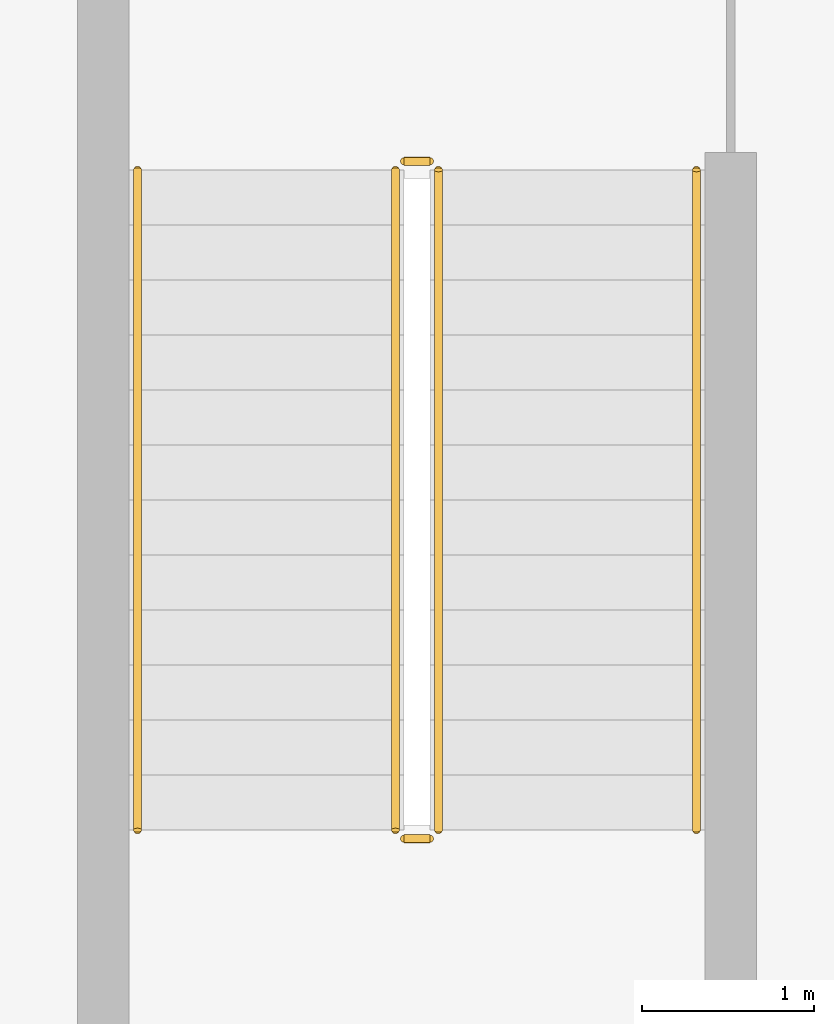
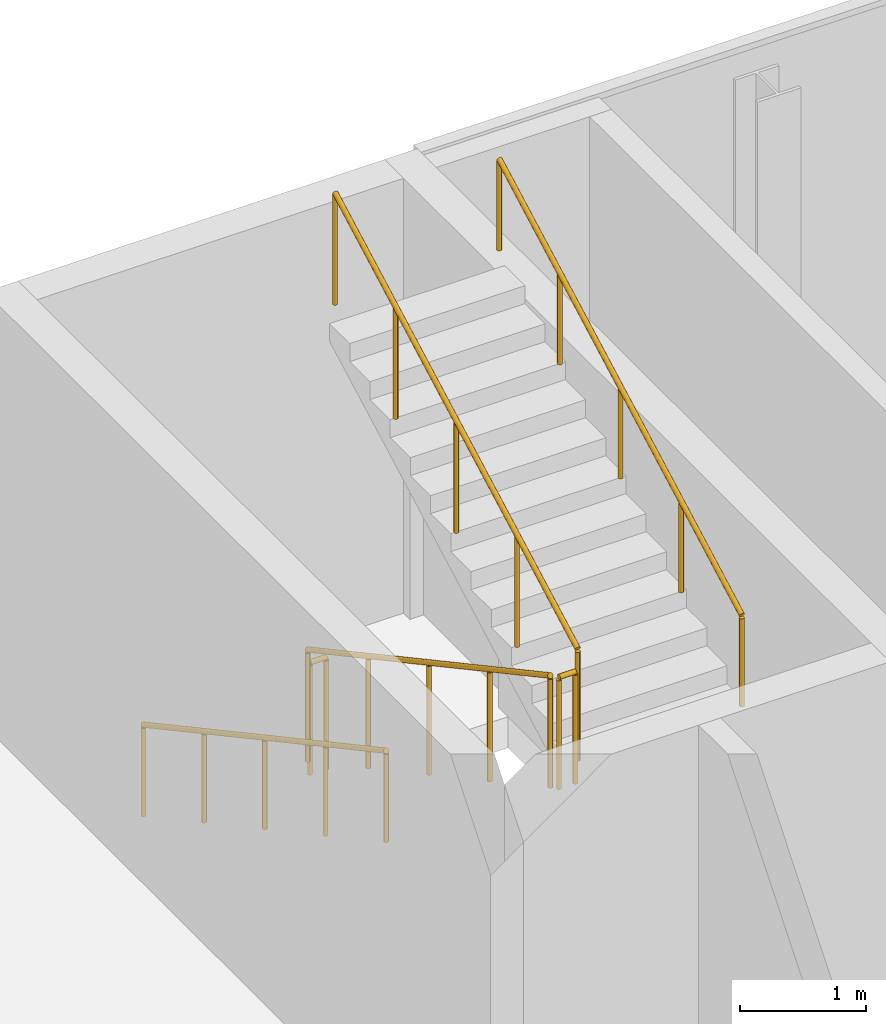
# One storey, part 37 of 38: 6 railings.
"""IFC4 building model written with IfcOpenShell, lengths in metres."""

from ifc_helpers import new_model, si_unit, direction, frame, origin, origin_2d, place, context, subcontext, project, spatial, circle, extrude, material, type_object, element, save


model = new_model("IFC4")

# Units and contexts
model_context = context("Model", 3, precision=1e-05, world=origin(), true_north=direction((0.0, 1.0)))
body_context = subcontext(model_context, "Body", "Model", "MODEL_VIEW")
ifc_project = project(units=[si_unit("LENGTHUNIT", "METRE"), si_unit("AREAUNIT", "SQUARE_METRE"), si_unit("VOLUMEUNIT", "CUBIC_METRE"), si_unit("PLANEANGLEUNIT", "RADIAN"), si_unit("MASSUNIT", "GRAM", prefix="KILO")], contexts=[model_context])

# Site, building, storey
site_placement = place(None, origin())
site = spatial("IfcSite", under=ifc_project, at=site_placement, CompositionType="ELEMENT")
building_placement = place(site_placement, origin())
building = spatial("IfcBuilding", under=site, at=building_placement, Name="Madar Terraces", CompositionType="ELEMENT")
storey_placement = place(building_placement, frame((0.0, 0.0, 15.0)))
storey = spatial("IfcBuildingStorey", under=building, at=storey_placement, Name="L03", CompositionType="ELEMENT", Elevation=15.0)

# Railings
ifc_material_1 = material(Name="Stainless steel railing", Category="steel")
railing_type_1 = type_object("IfcRailingType", Name="Stair guard 1100", PredefinedType="GUARDRAIL", material=ifc_material_1)
railing_1_placement = place(storey_placement, frame((38.25, 55.699951171875, 0.173095703125)))
element("IfcRailing", 1, at=railing_1_placement, inside=storey, type_object=railing_type_1, Name="L03 PS2 stair guard 1", PredefinedType="GUARDRAIL", context=body_context, shape_type="SweptSolid", body=[
    extrude(circle(Radius=0.02392578125, at=origin_2d()), frame((0.0, 0.0, 1.076171875), z_axis=(0.0, -0.879580660541, 0.475749788862), x_axis=(1.0, 0.0, 0.0)), (0.0, 0.0, 1.0), 4.365478515625),
    extrude(circle(Radius=0.02099609375, at=origin_2d()), origin(), (0.0, 0.0, 1.0), 1.052001953125),
    extrude(circle(Radius=0.02099609375, at=origin_2d()), frame((0.0, -0.9599609375, 0.519287109375)), (0.0, 0.0, 1.0), 1.052001953125),
    extrude(circle(Radius=0.02099609375, at=origin_2d()), frame((0.0, -1.919921875, 1.03857421875)), (0.0, 0.0, 1.0), 1.052001953125),
    extrude(circle(Radius=0.02099609375, at=origin_2d()), frame((0.0, -2.8798828125, 1.5576171875)), (0.0, 0.0, 1.0), 1.052001953125),
    extrude(circle(Radius=0.02099609375, at=origin_2d()), frame((0.0, -3.83984375, 2.076904296875)), (0.0, 0.0, 1.0), 1.052001953125),
])
railing_2_placement = place(storey_placement, frame((38.300048828125, 51.81005859375, 2.25)))
element("IfcRailing", 2, at=railing_2_placement, inside=storey, type_object=railing_type_1, Name="L03 PS2 stair guard 2", PredefinedType="GUARDRAIL", context=body_context, shape_type="SweptSolid", body=[
    extrude(circle(Radius=0.02392578125, at=origin_2d()), frame((0.0, 0.0, 1.076171875), z_axis=(1.0, 0.0, 0.0), x_axis=(0.0, 1.0, 0.0)), (0.0, 0.0, 1.0), 0.14990234375),
    extrude(circle(Radius=0.02099609375, at=origin_2d()), origin(), (0.0, 0.0, 1.0), 1.052001953125),
    extrude(circle(Radius=0.02099609375, at=origin_2d()), frame((0.14990234375, 0.0, 0.0)), (0.0, 0.0, 1.0), 1.052001953125),
])
railing_3_placement = place(storey_placement, frame((38.5, 51.860107421875, 2.423095703125)))
element("IfcRailing", 3, at=railing_3_placement, inside=storey, type_object=railing_type_1, Name="L03 PS2 stair guard 3", PredefinedType="GUARDRAIL", context=body_context, shape_type="SweptSolid", body=[
    extrude(circle(Radius=0.02392578125, at=origin_2d()), frame((0.0, 0.0, 1.076171875), z_axis=(0.0, 0.879580660541, 0.475749788862), x_axis=(-1.0, 0.0, 0.0)), (0.0, 0.0, 1.0), 4.365478515625),
    extrude(circle(Radius=0.02099609375, at=origin_2d()), origin(), (0.0, 0.0, 1.0), 1.052001953125),
    extrude(circle(Radius=0.02099609375, at=origin_2d()), frame((0.0, 0.9599609375, 0.519287109375)), (0.0, 0.0, 1.0), 1.052001953125),
    extrude(circle(Radius=0.02099609375, at=origin_2d()), frame((0.0, 1.919921875, 1.03857421875)), (0.0, 0.0, 1.0), 1.052001953125),
    extrude(circle(Radius=0.02099609375, at=origin_2d()), frame((0.0, 2.8798828125, 1.5576171875)), (0.0, 0.0, 1.0), 1.052001953125),
    extrude(circle(Radius=0.02099609375, at=origin_2d()), frame((0.0, 3.83984375, 2.076904296875)), (0.0, 0.0, 1.0), 1.052001953125),
])
railing_4_placement = place(storey_placement, frame((38.300048828125, 55.75, 0.0)))
element("IfcRailing", 4, at=railing_4_placement, inside=storey, type_object=railing_type_1, Name="L03 PS2 stair guard 4", PredefinedType="GUARDRAIL", context=body_context, shape_type="SweptSolid", body=[
    extrude(circle(Radius=0.02392578125, at=origin_2d()), frame((0.0, 0.0, 1.076171875), z_axis=(1.0, 0.0, 0.0), x_axis=(0.0, 1.0, 0.0)), (0.0, 0.0, 1.0), 0.14990234375),
    extrude(circle(Radius=0.02099609375, at=origin_2d()), origin(), (0.0, 0.0, 1.0), 1.052001953125),
    extrude(circle(Radius=0.02099609375, at=origin_2d()), frame((0.14990234375, 0.0, 0.0)), (0.0, 0.0, 1.0), 1.052001953125),
])
ifc_material_2 = material(Name="Stainless steel railing", Category="steel")
railing_type_2 = type_object("IfcRailingType", Name="Stair handrail 900", PredefinedType="HANDRAIL", material=ifc_material_2)
railing_5_placement = place(storey_placement, frame((36.75, 55.699951171875, 0.173095703125)))
element("IfcRailing", 5, at=railing_5_placement, inside=storey, type_object=railing_type_2, Name="L03 PS2 stair handrail 1", PredefinedType="HANDRAIL", context=body_context, shape_type="SweptSolid", body=[
    extrude(circle(Radius=0.02392578125, at=origin_2d()), frame((0.0, 0.0, 0.8759765625), z_axis=(0.0, -0.879580660541, 0.475749788862), x_axis=(1.0, 0.0, 0.0)), (0.0, 0.0, 1.0), 4.365478515625),
    extrude(circle(Radius=0.02099609375, at=origin_2d()), origin(), (0.0, 0.0, 1.0), 0.851806640625),
    extrude(circle(Radius=0.02099609375, at=origin_2d()), frame((0.0, -0.9599609375, 0.519287109375)), (0.0, 0.0, 1.0), 0.851806640625),
    extrude(circle(Radius=0.02099609375, at=origin_2d()), frame((0.0, -1.919921875, 1.03857421875)), (0.0, 0.0, 1.0), 0.851806640625),
    extrude(circle(Radius=0.02099609375, at=origin_2d()), frame((0.0, -2.8798828125, 1.5576171875)), (0.0, 0.0, 1.0), 0.851806640625),
    extrude(circle(Radius=0.02099609375, at=origin_2d()), frame((0.0, -3.83984375, 2.076904296875)), (0.0, 0.0, 1.0), 0.851806640625),
])
railing_6_placement = place(storey_placement, frame((40.0, 51.860107421875, 2.423095703125)))
element("IfcRailing", 6, at=railing_6_placement, inside=storey, type_object=railing_type_2, Name="L03 PS2 stair handrail 2", PredefinedType="HANDRAIL", context=body_context, shape_type="SweptSolid", body=[
    extrude(circle(Radius=0.02392578125, at=origin_2d()), frame((0.0, 0.0, 0.8759765625), z_axis=(0.0, 0.879580660541, 0.475749788862), x_axis=(-1.0, 0.0, 0.0)), (0.0, 0.0, 1.0), 4.365478515625),
    extrude(circle(Radius=0.02099609375, at=origin_2d()), origin(), (0.0, 0.0, 1.0), 0.851806640625),
    extrude(circle(Radius=0.02099609375, at=origin_2d()), frame((0.0, 0.9599609375, 0.519287109375)), (0.0, 0.0, 1.0), 0.851806640625),
    extrude(circle(Radius=0.02099609375, at=origin_2d()), frame((0.0, 1.919921875, 1.03857421875)), (0.0, 0.0, 1.0), 0.851806640625),
    extrude(circle(Radius=0.02099609375, at=origin_2d()), frame((0.0, 2.8798828125, 1.5576171875)), (0.0, 0.0, 1.0), 0.851806640625),
    extrude(circle(Radius=0.02099609375, at=origin_2d()), frame((0.0, 3.83984375, 2.076904296875)), (0.0, 0.0, 1.0), 0.851806640625),
])

save(model, "model.ifc")
